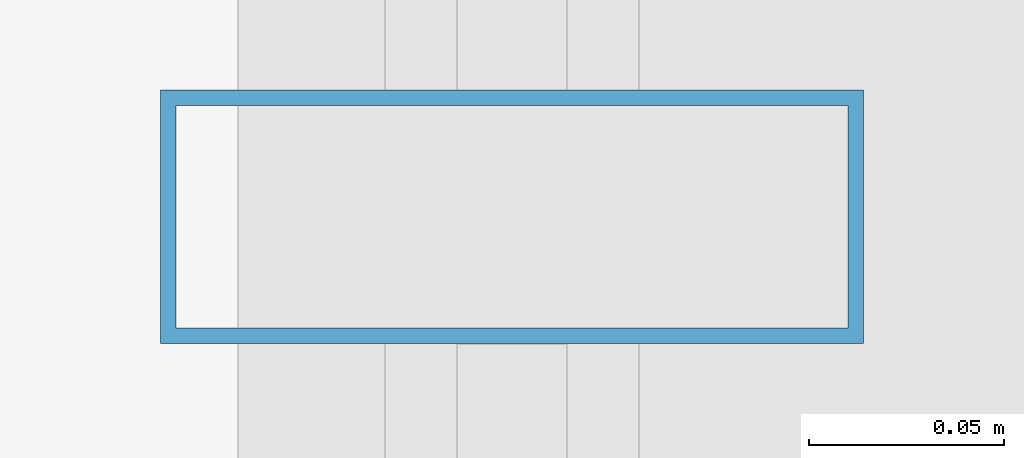
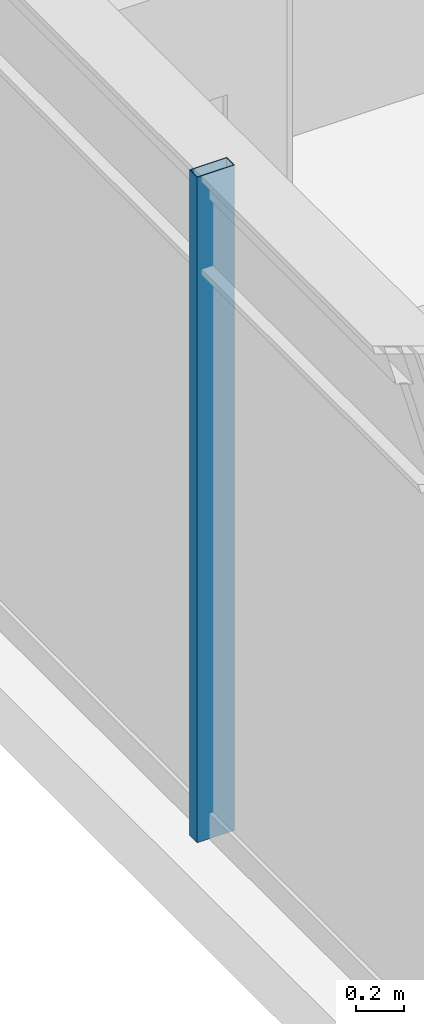
# One storey, part 10 of 36: 1 member, 1 element without a shape of its own.
"""IFC4 building model written with IfcOpenShell, lengths in metres."""

from ifc_helpers import new_model, si_unit, direction, frame, origin, origin_2d, place, context, subcontext, project, spatial, hollow_rectangle, extrude, source, transform, mapped, material, material_profile, profile_set, type_object, element, aggregate, save


model = new_model("IFC4")

# Units and contexts
model_context = context("Model", 3, precision=1e-05, world=origin(), true_north=direction((0.0, 1.0)))
body_context = subcontext(model_context, "Body", "Model", "MODEL_VIEW")
ifc_project = project(units=[si_unit("LENGTHUNIT", "METRE"), si_unit("AREAUNIT", "SQUARE_METRE"), si_unit("VOLUMEUNIT", "CUBIC_METRE"), si_unit("PLANEANGLEUNIT", "RADIAN"), si_unit("MASSUNIT", "GRAM", prefix="KILO")], contexts=[model_context])

# Site, building, storey
site_placement = place(None, origin())
site = spatial("IfcSite", under=ifc_project, at=site_placement, CompositionType="ELEMENT")
building_placement = place(site_placement, origin())
building = spatial("IfcBuilding", under=site, at=building_placement, Name="Nahalor Promenade Grand Hotel", CompositionType="ELEMENT")
storey_placement = place(building_placement, frame((0.0, 0.0, 76.199951171875)))
storey = spatial("IfcBuildingStorey", under=building, at=storey_placement, Name="L18", CompositionType="ELEMENT", Elevation=76.199951171875)

# Curtain wall, member
ifc_material = material(Name="Anodised Bronze Aluminium EN AW-6063 T6", Category="aluminium")
curtain_wall_type = type_object("IfcCurtainWallType", Name="CW2 Typical Hotel Flush Bronze Unitised Curtain Wall", PredefinedType="USERDEFINED", material=ifc_material)
curtain_wall_placement = place(storey_placement, origin())
curtain_wall = element("IfcCurtainWall", 1, at=curtain_wall_placement, inside=storey, type_object=curtain_wall_type, Name="L18 Curtain Wall CW-L18-W-1", ObjectType="UNITISED_CURTAIN_WALL", PredefinedType="USERDEFINED")
ifc_material_profile = material_profile(ifc_material, hollow_rectangle(XDim=0.065, YDim=0.18, WallThickness=0.004, at=origin_2d()), Name="CWM 65x180x4")
ifc_profile_set = profile_set([ifc_material_profile], Name="Anodised Bronze Aluminium EN AW-6063 T6")
member_type = type_object("IfcMemberType", Name="CWM2 Typical Bronze Mullion 65x180", PredefinedType="MULLION", material=ifc_profile_set)
shared_shape = source(origin(), body_context, "Body", "SweptSolid", [
    extrude(hollow_rectangle(XDim=0.065, YDim=0.18, WallThickness=0.004, at=origin_2d()), origin(), (0.0, 0.0, 1.0), 3.3701171875),
])
member_placement = place(storey_placement, frame((-25.159912109375, -1.853271484375, 0.0), z_axis=(0.0, 0.0, 1.0), x_axis=(0.0, 1.0, 0.0)))
member = element("IfcMember", 2, at=member_placement, type_object=member_type, Name="CW-L18-W-1 Mullion 2", PredefinedType="MULLION", context=body_context, shape_type="MappedRepresentation", body=[
    mapped(shared_shape, transform((0.0, 0.0, 0.0), scale=1.0)),
])
aggregate(curtain_wall, [member])

save(model, "model.ifc")
